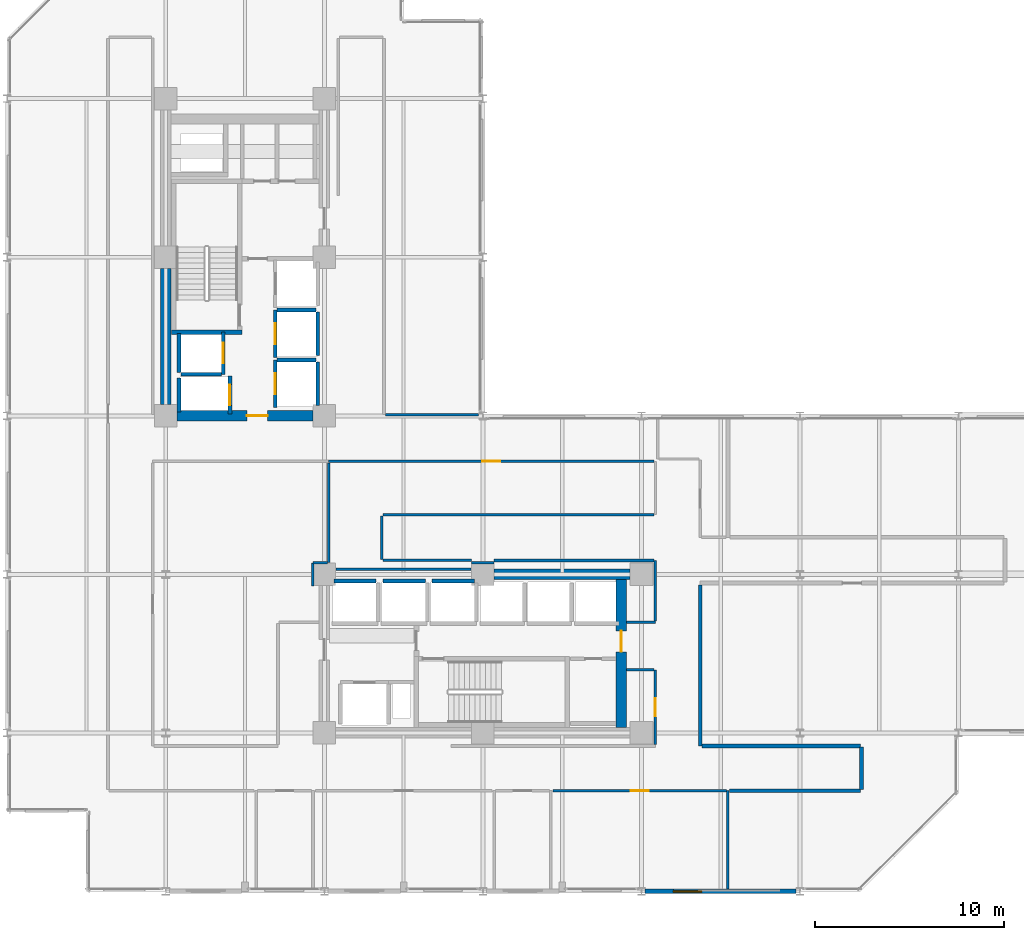
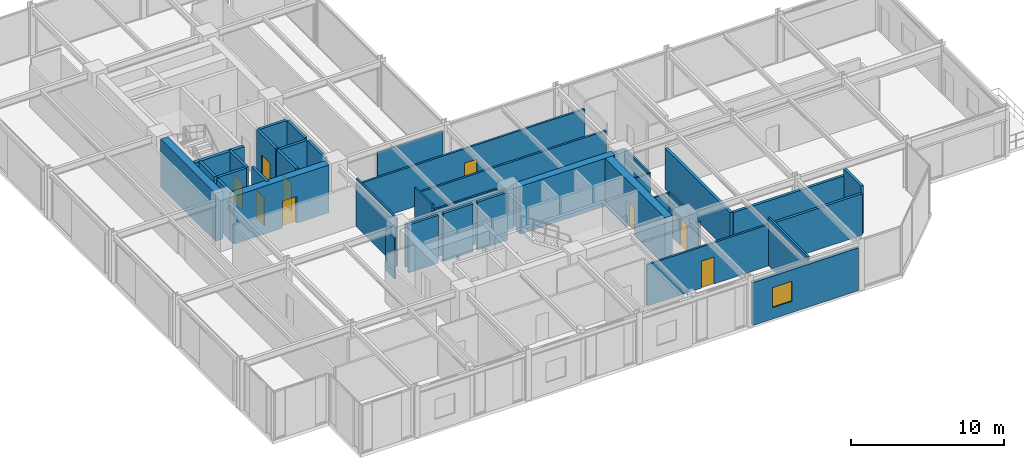
# One storey, part 33 of 38: 41 walls, 9 doors, 1 window, 10 openings.
"""IFC4 building model written with IfcOpenShell, lengths in metres."""

from ifc_helpers import new_model, si_unit, direction, frame, frame_2d, origin, place, context, subcontext, project, spatial, rectangle, extrude, material, layer, layer_set, type_object, element, fill, save


model = new_model("IFC4")

# Units and contexts
model_context = context("Model", 3, precision=1e-05, world=origin(), true_north=direction((0.0, 1.0)))
body_context = subcontext(model_context, "Body", "Model", "MODEL_VIEW")
ifc_project = project(units=[si_unit("LENGTHUNIT", "METRE"), si_unit("AREAUNIT", "SQUARE_METRE"), si_unit("VOLUMEUNIT", "CUBIC_METRE"), si_unit("PLANEANGLEUNIT", "RADIAN"), si_unit("MASSUNIT", "GRAM", prefix="KILO")], contexts=[model_context])

# Site, building, storey
site_placement = place(None, origin())
site = spatial("IfcSite", under=ifc_project, at=site_placement, CompositionType="ELEMENT")
building_placement = place(site_placement, origin())
building = spatial("IfcBuilding", under=site, at=building_placement, Name="Nerrivon Quay Data Exchange", CompositionType="ELEMENT")
storey_placement = place(building_placement, frame((0.0, 0.0, 84.39990234375)))
storey = spatial("IfcBuildingStorey", under=building, at=storey_placement, Name="L19", CompositionType="ELEMENT", Elevation=84.39990234375)

# Wall, opening, window
ifc_material_1 = material(Name="Architectural terracotta precast concrete N50 (50 MPa)", Category="masonry")
ifc_layer_1 = layer(ifc_material_1, 0.239990234375)
ifc_layer_set_1 = layer_set([ifc_layer_1], Name="Architectural terracotta precast concrete N50 (50 MPa)")
wall_type_1 = type_object("IfcWallType", Name="EW-PREC-240", PredefinedType="STANDARD", material=ifc_layer_set_1)
wall_1_placement = place(storey_placement, frame((41.800048828125, 0.0, 0.0), z_axis=(0.0, 0.0, 1.0), x_axis=(-1.0, 0.0, 0.0)))
wall_1 = element("IfcWall", 1, at=wall_1_placement, inside=storey, type_object=wall_type_1, Name="L19 Podium Precast Spandrel Wall 7", PredefinedType="STANDARD", context=body_context, shape_type="SweptSolid", body=[
    extrude(rectangle(XDim=8.0, YDim=0.239990234375, at=frame_2d((4.0, 0.0))), origin(), (0.0, 0.0, 1.0), 3.422119140625),
])
opening_1_placement = place(wall_1_placement, frame((5.013916015625, 0.0, 0.89990234375)))
opening_1 = element("IfcOpeningElement", 2, at=opening_1_placement, cuts=wall_1, Name="Opening WN4", PredefinedType="OPENING", context=body_context, shape_type="SweptSolid", body=[
    extrude(rectangle(XDim=1.5, YDim=1.60009765625, at=frame_2d((0.75, 0.800048828125))), frame((0.0, 0.1298828125, 0.0), z_axis=(0.0, -1.0, 0.0), x_axis=(1.0, 0.0, 0.0)), (0.0, 0.0, 1.0), 0.260009765625),
])
ifc_material_2 = material(Name="Double-glazed low-E solar control glass", Category="glass")
window_type = type_object("IfcWindowType", Name="WIN-W4-1500x1600", PartitioningType="SINGLE_PANEL", PredefinedType="WINDOW", material=ifc_material_2)
window_placement = place(opening_1_placement, origin())
window = element("IfcWindow", 3, at=window_placement, inside=storey, type_object=window_type, Name="L19 Solar Facade Window 7", OverallHeight=1.60009765625, OverallWidth=1.5, PartitioningType="SINGLE_PANEL", PredefinedType="WINDOW", context=body_context, shape_type="SweptSolid", body=[
    extrude(rectangle(XDim=1.5, YDim=1.60009765625, at=frame_2d((0.75, 0.800048828125))), frame((0.0, 0.030029296875, 0.0), z_axis=(0.0, -1.0, 0.0), x_axis=(1.0, 0.0, 0.0)), (0.0, 0.0, 1.0), 0.06005859375),
])
fill(opening_1, window)

# Wall
ifc_material_3 = material(Name="Concrete S65 (65 MPa)", Category="concrete")
ifc_layer_2 = layer(ifc_material_3, 0.550048828125)
ifc_layer_set_2 = layer_set([ifc_layer_2], Name="Concrete S65 (65 MPa)")
wall_type_2 = type_object("IfcWallType", Name="WALL-CW-700", PredefinedType="SHEAR", material=ifc_layer_set_2)
wall_2_placement = place(storey_placement, frame((8.39990234375, 25.800048828125, 0.0), z_axis=(0.0, 0.0, 1.0), x_axis=(0.0, 1.0, 0.0)))
element("IfcWall", 4, at=wall_2_placement, inside=storey, type_object=wall_type_2, Name="L19 West Split-Core Shear Wall WCW-W1", PredefinedType="SHEAR", context=body_context, shape_type="SweptSolid", body=[
    extrude(rectangle(XDim=7.199951171875, YDim=0.550048828125, at=frame_2d((3.60009765625, 0.0))), origin(), (0.0, 0.0, 1.0), 3.8251953125),
])

# Wall, opening, door
wall_3_placement = place(storey_placement, frame((9.0, 25.199951171875, 0.0), z_axis=(0.0, 0.0, 1.0), x_axis=(1.0, 0.0, 0.0)))
wall_3 = element("IfcWall", 5, at=wall_3_placement, inside=storey, type_object=wall_type_2, Name="L19 West Split-Core Shear Wall WCW-S1", PredefinedType="SHEAR", context=body_context, shape_type="SweptSolid", body=[
    extrude(rectangle(XDim=7.199951171875, YDim=0.550048828125, at=frame_2d((3.60009765625, 0.0))), origin(), (0.0, 0.0, 1.0), 3.8251953125),
])
opening_2_placement = place(wall_3_placement, frame((3.699951171875, 0.0, 0.0)))
opening_2 = element("IfcOpeningElement", 6, at=opening_2_placement, cuts=wall_3, Name="Opening FD-120", PredefinedType="OPENING", context=body_context, shape_type="SweptSolid", body=[
    extrude(rectangle(XDim=1.10009765625, YDim=2.14990234375, at=frame_2d((0.550048828125, 1.074951171875))), frame((0.0, 0.284912109375, 0.0), z_axis=(0.0, -1.0, 0.0), x_axis=(1.0, 0.0, 0.0)), (0.0, 0.0, 1.0), 0.570068359375),
])
ifc_material_4 = material(Name="Powder-coated galvanized steel sheet", Category="steel")
door_type_1 = type_object("IfcDoorType", Name="DR-FD120-1100", OperationType="NOTDEFINED", PredefinedType="DOOR", material=ifc_material_4)
door_1_placement = place(opening_2_placement, origin())
door_1 = element("IfcDoor", 7, at=door_1_placement, inside=storey, type_object=door_type_1, Name="L19 West Core Lobby Fire Door", OperationType="SINGLE_SWING_LEFT", OverallHeight=2.14990234375, OverallWidth=1.10009765625, PredefinedType="DOOR", context=body_context, shape_type="SweptSolid", body=[
    extrude(rectangle(XDim=1.10009765625, YDim=2.14990234375, at=frame_2d((0.550048828125, 1.074951171875))), frame((0.0, 0.02490234375, 0.0), z_axis=(0.0, -1.0, 0.0), x_axis=(1.0, 0.0, 0.0)), (0.0, 0.0, 1.0), 0.050048828125),
])
fill(opening_2, door_1)

wall_4_placement = place(storey_placement, frame((32.52490234375, 8.675048828125, 0.0), z_axis=(0.0, 0.0, 1.0), x_axis=(0.0, 1.0, 0.0)))
wall_4 = element("IfcWall", 8, at=wall_4_placement, inside=storey, type_object=wall_type_2, Name="L19 East Split-Core Shear Wall ECW-E1", PredefinedType="SHEAR", context=body_context, shape_type="SweptSolid", body=[
    extrude(rectangle(XDim=7.849853515625, YDim=0.550048828125, at=frame_2d((3.9248046875, 0.0))), origin(), (0.0, 0.0, 1.0), 3.8251953125),
])
opening_3_placement = place(wall_4_placement, frame((4.02490234375, 0.0, 0.0)))
opening_3 = element("IfcOpeningElement", 9, at=opening_3_placement, cuts=wall_4, Name="Opening FD-120", PredefinedType="OPENING", context=body_context, shape_type="SweptSolid", body=[
    extrude(rectangle(XDim=1.10009765625, YDim=2.14990234375, at=frame_2d((0.550048828125, 1.074951171875))), frame((0.0, 0.284912109375, 0.0), z_axis=(0.0, -1.0, 0.0), x_axis=(1.0, 0.0, 0.0)), (0.0, 0.0, 1.0), 0.570068359375),
])
door_2_placement = place(opening_3_placement, origin())
door_2 = element("IfcDoor", 10, at=door_2_placement, inside=storey, type_object=door_type_1, Name="L19 East Core Lobby Fire Door", OperationType="SINGLE_SWING_RIGHT", OverallHeight=2.14990234375, OverallWidth=1.10009765625, PredefinedType="DOOR", context=body_context, shape_type="SweptSolid", body=[
    extrude(rectangle(XDim=1.10009765625, YDim=2.14990234375, at=frame_2d((0.550048828125, 1.074951171875))), frame((0.0, 0.02490234375, 0.0), z_axis=(0.0, -1.0, 0.0), x_axis=(1.0, 0.0, 0.0)), (0.0, 0.0, 1.0), 0.050048828125),
])
fill(opening_3, door_2)

# Wall
wall_5_placement = place(storey_placement, frame((25.800048828125, 16.800048828125, 0.0), z_axis=(0.0, 0.0, 1.0), x_axis=(1.0, 0.0, 0.0)))
element("IfcWall", 11, at=wall_5_placement, inside=storey, type_object=wall_type_2, Name="L19 East Split-Core Shear Wall ECW-N1", PredefinedType="SHEAR", context=body_context, shape_type="SweptSolid", body=[
    extrude(rectangle(XDim=7.199951171875, YDim=0.550048828125, at=frame_2d((3.60009765625, 0.0))), origin(), (0.0, 0.0, 1.0), 3.8251953125),
])

# Wall, opening, door
ifc_material_5 = material(Name="Gypsum plasterboard on cold-formed framing", Category="gypsum")
ifc_layer_3 = layer(ifc_material_5, 0.199951171875)
ifc_layer_set_3 = layer_set([ifc_layer_3], Name="Gypsum plasterboard on cold-formed framing")
wall_type_3 = type_object("IfcWallType", Name="WALL-FW-200", PredefinedType="PARTITIONING", material=ifc_layer_set_3)
wall_6_placement = place(storey_placement, frame((11.449951171875, 27.39990234375, 0.0), z_axis=(0.0, 0.0, 1.0), x_axis=(0.0, 1.0, 0.0)))
wall_6 = element("IfcWall", 12, at=wall_6_placement, inside=storey, type_object=wall_type_3, Name="L19 Lift Front Wall FFL-1", PredefinedType="PARTITIONING", context=body_context, shape_type="SweptSolid", body=[
    extrude(rectangle(XDim=2.25, YDim=0.199951171875, at=frame_2d((1.125, 0.0))), origin(), (0.0, 0.0, 1.0), 3.8251953125),
])
opening_4_placement = place(wall_6_placement, frame((0.574951171875, 0.0, 0.0)))
opening_4 = element("IfcOpeningElement", 13, at=opening_4_placement, cuts=wall_6, Name="Opening LD-120", PredefinedType="OPENING", context=body_context, shape_type="SweptSolid", body=[
    extrude(rectangle(XDim=1.10009765625, YDim=2.199951171875, at=frame_2d((0.550048828125, 1.10009765625))), frame((0.0, 0.10986328125, 0.0), z_axis=(0.0, -1.0, 0.0), x_axis=(1.0, 0.0, 0.0)), (0.0, 0.0, 1.0), 0.219970703125),
])
door_type_2 = type_object("IfcDoorType", Name="DR-LIFT-LD120", OperationType="DOUBLE_DOOR_SLIDING", PredefinedType="DOOR", material=ifc_material_4)
door_3_placement = place(opening_4_placement, origin())
door_3 = element("IfcDoor", 14, at=door_3_placement, inside=storey, type_object=door_type_2, Name="L19 Lift Landing Sliding Door FFL-1", OperationType="DOUBLE_DOOR_SLIDING", OverallHeight=2.199951171875, OverallWidth=1.10009765625, PredefinedType="DOOR", context=body_context, shape_type="SweptSolid", body=[
    extrude(rectangle(XDim=1.10009765625, YDim=2.199951171875, at=frame_2d((0.550048828125, 1.10009765625))), frame((0.0, 0.02490234375, 0.0), z_axis=(0.0, -1.0, 0.0), x_axis=(1.0, 0.0, 0.0)), (0.0, 0.0, 1.0), 0.050048828125),
])
fill(opening_4, door_3)

# Walls
wall_7_placement = place(storey_placement, frame((9.10009765625, 27.5, 0.0), z_axis=(0.0, 0.0, 1.0), x_axis=(0.0, 1.0, 0.0)))
element("IfcWall", 15, at=wall_7_placement, inside=storey, type_object=wall_type_3, Name="L19 Lift Shaft Wall FFL-1 WEST", PredefinedType="PARTITIONING", context=body_context, shape_type="SweptSolid", body=[
    extrude(rectangle(XDim=2.050048828125, YDim=0.199951171875, at=frame_2d((1.02490234375, 0.0))), origin(), (0.0, 0.0, 1.0), 3.8251953125),
])
wall_8_placement = place(storey_placement, frame((9.199951171875, 27.39990234375, 0.0), z_axis=(0.0, 0.0, 1.0), x_axis=(1.0, 0.0, 0.0)))
element("IfcWall", 16, at=wall_8_placement, inside=storey, type_object=wall_type_3, Name="L19 Lift Shaft Wall FFL-1 SOUTH", PredefinedType="PARTITIONING", context=body_context, shape_type="SweptSolid", body=[
    extrude(rectangle(XDim=2.150146484375, YDim=0.199951171875, at=frame_2d((1.0751953125, 0.0))), origin(), (0.0, 0.0, 1.0), 3.8251953125),
])

# Wall, opening, door
wall_9_placement = place(storey_placement, frame((11.800048828125, 25.300048828125, 0.0), z_axis=(0.0, 0.0, 1.0), x_axis=(0.0, 1.0, 0.0)))
wall_9 = element("IfcWall", 17, at=wall_9_placement, inside=storey, type_object=wall_type_3, Name="L19 Lift Front Wall SVL-1", PredefinedType="PARTITIONING", context=body_context, shape_type="SweptSolid", body=[
    extrude(rectangle(XDim=2.0, YDim=0.199951171875, at=frame_2d((1.0, 0.0))), origin(), (0.0, 0.0, 1.0), 3.8251953125),
])
opening_5_placement = place(wall_9_placement, frame((0.449951171875, 0.0, 0.0)))
opening_5 = element("IfcOpeningElement", 18, at=opening_5_placement, cuts=wall_9, Name="Opening LD-120", PredefinedType="OPENING", context=body_context, shape_type="SweptSolid", body=[
    extrude(rectangle(XDim=1.10009765625, YDim=2.199951171875, at=frame_2d((0.550048828125, 1.10009765625))), frame((0.0, 0.10986328125, 0.0), z_axis=(0.0, -1.0, 0.0), x_axis=(1.0, 0.0, 0.0)), (0.0, 0.0, 1.0), 0.219970703125),
])
door_4_placement = place(opening_5_placement, origin())
door_4 = element("IfcDoor", 19, at=door_4_placement, inside=storey, type_object=door_type_2, Name="L19 Lift Landing Sliding Door SVL-1", OperationType="DOUBLE_DOOR_SLIDING", OverallHeight=2.199951171875, OverallWidth=1.10009765625, PredefinedType="DOOR", context=body_context, shape_type="SweptSolid", body=[
    extrude(rectangle(XDim=1.10009765625, YDim=2.199951171875, at=frame_2d((0.550048828125, 1.10009765625))), frame((0.0, 0.02490234375, 0.0), z_axis=(0.0, -1.0, 0.0), x_axis=(1.0, 0.0, 0.0)), (0.0, 0.0, 1.0), 0.050048828125),
])
fill(opening_5, door_4)

# Wall
wall_10_placement = place(storey_placement, frame((9.10009765625, 25.39990234375, 0.0), z_axis=(0.0, 0.0, 1.0), x_axis=(0.0, 1.0, 0.0)))
element("IfcWall", 20, at=wall_10_placement, inside=storey, type_object=wall_type_3, Name="L19 Lift Shaft Wall SVL-1 WEST", PredefinedType="PARTITIONING", context=body_context, shape_type="SweptSolid", body=[
    extrude(rectangle(XDim=1.800048828125, YDim=0.199951171875, at=frame_2d((0.89990234375, 0.0))), origin(), (0.0, 0.0, 1.0), 3.8251953125),
])

# Wall, opening, door
wall_11_placement = place(storey_placement, frame((14.199951171875, 25.64990234375, 0.0), z_axis=(0.0, 0.0, 1.0), x_axis=(0.0, 1.0, 0.0)))
wall_11 = element("IfcWall", 21, at=wall_11_placement, inside=storey, type_object=wall_type_3, Name="L19 Lift Front Wall PL1", PredefinedType="PARTITIONING", context=body_context, shape_type="SweptSolid", body=[
    extrude(rectangle(XDim=2.5, YDim=0.199951171875, at=frame_2d((1.25, 0.0))), origin(), (0.0, 0.0, 1.0), 3.8251953125),
])
opening_6_placement = place(wall_11_placement, frame((0.699951171875, 0.0, 0.0)))
opening_6 = element("IfcOpeningElement", 22, at=opening_6_placement, cuts=wall_11, Name="Opening LD-120", PredefinedType="OPENING", context=body_context, shape_type="SweptSolid", body=[
    extrude(rectangle(XDim=1.10009765625, YDim=2.199951171875, at=frame_2d((0.550048828125, 1.10009765625))), frame((0.0, 0.10986328125, 0.0), z_axis=(0.0, -1.0, 0.0), x_axis=(1.0, 0.0, 0.0)), (0.0, 0.0, 1.0), 0.219970703125),
])
door_5_placement = place(opening_6_placement, origin())
door_5 = element("IfcDoor", 23, at=door_5_placement, inside=storey, type_object=door_type_2, Name="L19 Lift Landing Sliding Door PL1", OperationType="DOUBLE_DOOR_SLIDING", OverallHeight=2.199951171875, OverallWidth=1.10009765625, PredefinedType="DOOR", context=body_context, shape_type="SweptSolid", body=[
    extrude(rectangle(XDim=1.10009765625, YDim=2.199951171875, at=frame_2d((0.550048828125, 1.10009765625))), frame((0.0, 0.02490234375, 0.0), z_axis=(0.0, -1.0, 0.0), x_axis=(1.0, 0.0, 0.0)), (0.0, 0.0, 1.0), 0.050048828125),
])
fill(opening_6, door_5)

# Walls
wall_12_placement = place(storey_placement, frame((16.449951171875, 25.75, 0.0), z_axis=(0.0, 0.0, 1.0), x_axis=(0.0, 1.0, 0.0)))
element("IfcWall", 24, at=wall_12_placement, inside=storey, type_object=wall_type_3, Name="L19 Lift Shaft Wall PL1 EAST", PredefinedType="PARTITIONING", context=body_context, shape_type="SweptSolid", body=[
    extrude(rectangle(XDim=2.300048828125, YDim=0.199951171875, at=frame_2d((1.14990234375, 0.0))), origin(), (0.0, 0.0, 1.0), 3.8251953125),
])
wall_13_placement = place(storey_placement, frame((14.300048828125, 28.14990234375, 0.0), z_axis=(0.0, 0.0, 1.0), x_axis=(1.0, 0.0, 0.0)))
element("IfcWall", 25, at=wall_13_placement, inside=storey, type_object=wall_type_3, Name="L19 Lift Shaft Wall PL1 NORTH", PredefinedType="PARTITIONING", context=body_context, shape_type="SweptSolid", body=[
    extrude(rectangle(XDim=2.050048828125, YDim=0.199951171875, at=frame_2d((1.02490234375, 0.0))), origin(), (0.0, 0.0, 1.0), 3.8251953125),
])

# Wall, opening, door
wall_14_placement = place(storey_placement, frame((14.199951171875, 28.300048828125, 0.0), z_axis=(0.0, 0.0, 1.0), x_axis=(0.0, 1.0, 0.0)))
wall_14 = element("IfcWall", 26, at=wall_14_placement, inside=storey, type_object=wall_type_3, Name="L19 Lift Front Wall PL2", PredefinedType="PARTITIONING", context=body_context, shape_type="SweptSolid", body=[
    extrude(rectangle(XDim=2.5, YDim=0.199951171875, at=frame_2d((1.25, 0.0))), origin(), (0.0, 0.0, 1.0), 3.8251953125),
])
opening_7_placement = place(wall_14_placement, frame((0.699951171875, 0.0, 0.0)))
opening_7 = element("IfcOpeningElement", 27, at=opening_7_placement, cuts=wall_14, Name="Opening LD-120", PredefinedType="OPENING", context=body_context, shape_type="SweptSolid", body=[
    extrude(rectangle(XDim=1.10009765625, YDim=2.199951171875, at=frame_2d((0.550048828125, 1.10009765625))), frame((0.0, 0.10986328125, 0.0), z_axis=(0.0, -1.0, 0.0), x_axis=(1.0, 0.0, 0.0)), (0.0, 0.0, 1.0), 0.219970703125),
])
door_6_placement = place(opening_7_placement, origin())
door_6 = element("IfcDoor", 28, at=door_6_placement, inside=storey, type_object=door_type_2, Name="L19 Lift Landing Sliding Door PL2", OperationType="DOUBLE_DOOR_SLIDING", OverallHeight=2.199951171875, OverallWidth=1.10009765625, PredefinedType="DOOR", context=body_context, shape_type="SweptSolid", body=[
    extrude(rectangle(XDim=1.10009765625, YDim=2.199951171875, at=frame_2d((0.550048828125, 1.10009765625))), frame((0.0, 0.02490234375, 0.0), z_axis=(0.0, -1.0, 0.0), x_axis=(1.0, 0.0, 0.0)), (0.0, 0.0, 1.0), 0.050048828125),
])
fill(opening_7, door_6)

# Walls
wall_15_placement = place(storey_placement, frame((16.449951171875, 28.39990234375, 0.0), z_axis=(0.0, 0.0, 1.0), x_axis=(0.0, 1.0, 0.0)))
element("IfcWall", 29, at=wall_15_placement, inside=storey, type_object=wall_type_3, Name="L19 Lift Shaft Wall PL2 EAST", PredefinedType="PARTITIONING", context=body_context, shape_type="SweptSolid", body=[
    extrude(rectangle(XDim=2.300048828125, YDim=0.199951171875, at=frame_2d((1.14990234375, 0.0))), origin(), (0.0, 0.0, 1.0), 3.8251953125),
])
wall_16_placement = place(storey_placement, frame((14.300048828125, 30.800048828125, 0.0), z_axis=(0.0, 0.0, 1.0), x_axis=(1.0, 0.0, 0.0)))
element("IfcWall", 30, at=wall_16_placement, inside=storey, type_object=wall_type_3, Name="L19 Lift Shaft Wall PL2 NORTH", PredefinedType="PARTITIONING", context=body_context, shape_type="SweptSolid", body=[
    extrude(rectangle(XDim=2.050048828125, YDim=0.199951171875, at=frame_2d((1.02490234375, 0.0))), origin(), (0.0, 0.0, 1.0), 3.8251953125),
])
for number, where, z_axis, x_axis, name in (
    (31, (17.300048828125, 16.449951171875, 0.0), (0.0, 0.0, 1.0), (1.0, 0.0, 0.0), "L19 Lift Shaft Wall PL4 NORTH"),
    (32, (19.89990234375, 16.449951171875, 0.0), (0.0, 0.0, 1.0), (1.0, 0.0, 0.0), "L19 Lift Shaft Wall PL5 NORTH"),
    (33, (22.5, 16.449951171875, 0.0), (0.0, 0.0, 1.0), (1.0, 0.0, 0.0), "L19 Lift Shaft Wall PL6 NORTH"),
):
    element("IfcWall", number, at=place(storey_placement, frame(where, z_axis=z_axis, x_axis=x_axis)), inside=storey, type_object=wall_type_3, Name=name, PredefinedType="PARTITIONING", context=body_context, shape_type="SweptSolid", body=[
        extrude(rectangle(XDim=2.25, YDim=0.199951171875, at=frame_2d((1.125, 0.0))), origin(), (0.0, 0.0, 1.0), 3.8251953125),
    ])
wall_17_placement = place(storey_placement, frame((36.7099609375, 16.236083984375, 0.0), z_axis=(0.0, 0.0, 1.0), x_axis=(0.0, -1.0, 0.0)))
element("IfcWall", 34, at=wall_17_placement, inside=storey, type_object=wall_type_3, Name="L19 Partition Colocation Data Workspace 1", PredefinedType="PARTITIONING", context=body_context, shape_type="SweptSolid", body=[
    extrude(rectangle(XDim=8.526123046875, YDim=0.199951171875, at=frame_2d((4.26318359375, 0.0))), origin(), (0.0, 0.0, 1.0), 3.2919921875),
])
wall_18_placement = place(storey_placement, frame((36.81396484375, 7.7099609375, 0.0), z_axis=(0.0, 0.0, 1.0), x_axis=(1.0, 0.0, 0.0)))
element("IfcWall", 35, at=wall_18_placement, inside=storey, type_object=wall_type_3, Name="L19 Partition Colocation Data Workspace 1", PredefinedType="PARTITIONING", context=body_context, shape_type="SweptSolid", body=[
    extrude(rectangle(XDim=8.385986328125, YDim=0.199951171875, at=frame_2d((4.19287109375, 0.0))), origin(), (0.0, 0.0, 1.0), 3.297119140625),
])
wall_19_placement = place(storey_placement, frame((45.260009765625, 7.64990234375, 0.0), z_axis=(0.0, 0.0, 1.0), x_axis=(0.0, -1.0, 0.0)))
element("IfcWall", 36, at=wall_19_placement, inside=storey, type_object=wall_type_3, Name="L19 Partition Colocation Data Workspace 1", PredefinedType="PARTITIONING", context=body_context, shape_type="SweptSolid", body=[
    extrude(rectangle(XDim=2.25, YDim=0.199951171875, at=frame_2d((1.125, 0.0))), origin(), (0.0, 0.0, 1.0), 3.8251953125),
])
wall_20_placement = place(storey_placement, frame((45.199951171875, 5.340087890625, 0.0), z_axis=(0.0, 0.0, 1.0), x_axis=(-1.0, 0.0, 0.0)))
element("IfcWall", 37, at=wall_20_placement, inside=storey, type_object=wall_type_3, Name="L19 Partition Colocation Data Workspace 1", PredefinedType="PARTITIONING", context=body_context, shape_type="SweptSolid", body=[
    extrude(rectangle(XDim=6.946533203125, YDim=0.199951171875, at=frame_2d((3.47314453125, 0.0))), origin(), (0.0, 0.0, 1.0), 3.297119140625),
])
ifc_layer_4 = layer(ifc_material_5, 0.1201171875)
ifc_layer_set_4 = layer_set([ifc_layer_4], Name="Gypsum plasterboard on cold-formed framing")
wall_type_4 = type_object("IfcWallType", Name="WALL-PT-120", PredefinedType="PARTITIONING", material=ifc_layer_set_4)
wall_21_placement = place(storey_placement, frame((34.2685546875, 11.739990234375, 0.0), z_axis=(0.0, 0.0, 1.0), x_axis=(-1.0, 0.0, 0.0)))
element("IfcWall", 38, at=wall_21_placement, inside=storey, type_object=wall_type_4, Name="L19 Partition Staff Pantry", PredefinedType="PARTITIONING", context=body_context, shape_type="SweptSolid", body=[
    extrude(rectangle(XDim=1.464599609375, YDim=0.1201171875, at=frame_2d((0.732421875, 0.0))), origin(), (0.0, 0.0, 1.0), 3.297119140625),
])
wall_22_placement = place(storey_placement, frame((24.59423828125, 17.419189453125, 0.0), z_axis=(0.0, 0.0, 1.0), x_axis=(0.999999815526, 0.000607410295, 0.0)))
element("IfcWall", 39, at=wall_22_placement, inside=storey, type_object=wall_type_4, Name="L19 Partition Technical Library", PredefinedType="PARTITIONING", context=body_context, shape_type="SweptSolid", body=[
    extrude(rectangle(XDim=1.205810546875, YDim=0.1201171875, at=frame_2d((0.60302734375, 0.0))), origin(), (0.0, 0.0, 1.0), 3.297119140625),
])
wall_23_placement = place(storey_placement, frame((32.803955078125, 14.260009765625, 0.0), z_axis=(0.0, 0.0, 1.0), x_axis=(1.0, 0.0, 0.0)))
element("IfcWall", 40, at=wall_23_placement, inside=storey, type_object=wall_type_4, Name="L19 Partition Technical Library", PredefinedType="PARTITIONING", context=body_context, shape_type="SweptSolid", body=[
    extrude(rectangle(XDim=1.5361328125, YDim=0.1201171875, at=frame_2d((0.76806640625, 0.0))), origin(), (0.0, 0.0, 1.0), 3.297119140625),
])
wall_24_placement = place(storey_placement, frame((19.840087890625, 17.60009765625, 0.0), z_axis=(0.0, 0.0, 1.0), x_axis=(0.0, 1.0, 0.0)))
element("IfcWall", 41, at=wall_24_placement, inside=storey, type_object=wall_type_4, Name="L19 Partition Technical Library", PredefinedType="PARTITIONING", context=body_context, shape_type="SweptSolid", body=[
    extrude(rectangle(XDim=2.2998046875, YDim=0.1201171875, at=frame_2d((1.14990234375, 0.0))), origin(), (0.0, 0.0, 1.0), 3.8251953125),
])
wall_25_placement = place(storey_placement, frame((16.180908203125, 16.194091796875, 0.0), z_axis=(0.0, 0.0, 1.0), x_axis=(-0.000606305467, 0.999999816197, 0.0)))
element("IfcWall", 42, at=wall_25_placement, inside=storey, type_object=wall_type_4, Name="L19 Partition Cloud Compute Workspace 1", PredefinedType="PARTITIONING", context=body_context, shape_type="SweptSolid", body=[
    extrude(rectangle(XDim=1.2080078125, YDim=0.1201171875, at=frame_2d((0.60400390625, 0.0))), origin(), (0.0, 0.0, 1.0), 3.2919921875),
])
wall_26_placement = place(storey_placement, frame((16.199951171875, 17.419921875, 0.0), z_axis=(0.0, 0.0, 1.0), x_axis=(1.0, 0.0, 0.0)))
element("IfcWall", 43, at=wall_26_placement, inside=storey, type_object=wall_type_4, Name="L19 Partition Cloud Compute Workspace 1", PredefinedType="PARTITIONING", context=body_context, shape_type="SweptSolid", body=[
    extrude(rectangle(XDim=0.759033203125, YDim=0.1201171875, at=frame_2d((0.37939453125, 0.0))), origin(), (0.0, 0.0, 1.0), 3.297119140625),
])

# Wall, opening, door
ifc_layer_5 = layer(ifc_material_5, 0.135009765625)
ifc_layer_set_5 = layer_set([ifc_layer_5], Name="Gypsum plasterboard on cold-formed framing")
wall_type_5 = type_object("IfcWallType", Name="WALL-PT-135", PredefinedType="PARTITIONING", material=ifc_layer_set_5)
wall_27_placement = place(storey_placement, frame((34.340087890625, 7.7890625, 0.0), z_axis=(0.0, 0.0, 1.0), x_axis=(0.0, 1.0, 0.0)))
wall_27 = element("IfcWall", 44, at=wall_27_placement, inside=storey, type_object=wall_type_5, Name="L19 Partition Staff Pantry", PredefinedType="PARTITIONING", context=body_context, shape_type="SweptSolid", body=[
    extrude(rectangle(XDim=3.950927734375, YDim=0.135009765625, at=frame_2d((1.9755859375, 0.0))), origin(), (0.0, 0.0, 1.0), 3.2919921875),
])
opening_8_placement = place(wall_27_placement, frame((1.50048828125, 0.0, 0.0)))
opening_8 = element("IfcOpeningElement", 45, at=opening_8_placement, cuts=wall_27, Name="Opening D-01", PredefinedType="OPENING", context=body_context, shape_type="SweptSolid", body=[
    extrude(rectangle(XDim=0.949951171875, YDim=2.14990234375, at=frame_2d((0.47509765625, 1.074951171875))), frame((0.0, 0.077392578125, 0.0), z_axis=(0.0, -1.0, 0.0), x_axis=(1.0, 0.0, 0.0)), (0.0, 0.0, 1.0), 0.155029296875),
])
ifc_material_6 = material(Name="Engineered hardwood timber", Category="wood")
door_type_3 = type_object("IfcDoorType", Name="DR-INT-950", OperationType="NOTDEFINED", PredefinedType="DOOR", material=ifc_material_6)
door_7_placement = place(opening_8_placement, origin())
door_7 = element("IfcDoor", 46, at=door_7_placement, inside=storey, type_object=door_type_3, Name="L19 Door Staff Pantry", OperationType="SINGLE_SWING_LEFT", OverallHeight=2.14990234375, OverallWidth=0.949951171875, PredefinedType="DOOR", context=body_context, shape_type="SweptSolid", body=[
    extrude(rectangle(XDim=0.949951171875, YDim=2.14990234375, at=frame_2d((0.47509765625, 1.074951171875))), frame((0.0, 0.02490234375, 0.0), z_axis=(0.0, -1.0, 0.0), x_axis=(1.0, 0.0, 0.0)), (0.0, 0.0, 1.0), 0.050048828125),
])
fill(opening_8, door_7)

# Walls
wall_28_placement = place(storey_placement, frame((38.181884765625, 0.1240234375, 0.0), z_axis=(0.0, 0.0, 1.0), x_axis=(0.0, 1.0, 0.0)))
element("IfcWall", 47, at=wall_28_placement, inside=storey, type_object=wall_type_5, Name="L19 Partition Network Security Control", PredefinedType="PARTITIONING", context=body_context, shape_type="SweptSolid", body=[
    extrude(rectangle(XDim=5.216064453125, YDim=0.135009765625, at=frame_2d((2.60791015625, 0.0))), origin(), (0.0, 0.0, 1.0), 3.8251953125),
])
wall_29_placement = place(storey_placement, frame((17.030517578125, 22.7109375, 0.0), z_axis=(0.0, 0.0, 1.0), x_axis=(0.0, -1.0, 0.0)))
element("IfcWall", 48, at=wall_29_placement, inside=storey, type_object=wall_type_5, Name="L19 Partition Technical Library", PredefinedType="PARTITIONING", context=body_context, shape_type="SweptSolid", body=[
    extrude(rectangle(XDim=5.291015625, YDim=0.135009765625, at=frame_2d((2.6455078125, 0.0))), origin(), (0.0, 0.0, 1.0), 3.8251953125),
])
wall_30_placement = place(storey_placement, frame((34.340087890625, 14.323974609375, 0.0), z_axis=(0.0, 0.0, 1.0), x_axis=(0.0, 1.0, 0.0)))
element("IfcWall", 49, at=wall_30_placement, inside=storey, type_object=wall_type_5, Name="L19 Partition Technical Library", PredefinedType="PARTITIONING", context=body_context, shape_type="SweptSolid", body=[
    extrude(rectangle(XDim=3.216064453125, YDim=0.135009765625, at=frame_2d((1.60791015625, 0.0))), origin(), (0.0, 0.0, 1.0), 3.2919921875),
])
wall_31_placement = place(storey_placement, frame((24.593994140625, 17.5400390625, 0.0), z_axis=(0.0, 0.0, 1.0), x_axis=(-1.0, 0.0, 0.0)))
element("IfcWall", 50, at=wall_31_placement, inside=storey, type_object=wall_type_5, Name="L19 Partition Technical Library", PredefinedType="PARTITIONING", context=body_context, shape_type="SweptSolid", body=[
    extrude(rectangle(XDim=4.694091796875, YDim=0.135009765625, at=frame_2d((2.34716796875, 0.0))), origin(), (0.0, 0.0, 1.0), 3.468994140625),
])
wall_32_placement = place(storey_placement, frame((20.0390625, 25.260009765625, 0.0), z_axis=(0.0, 0.0, 1.0), x_axis=(1.0, 0.0, 0.0)))
element("IfcWall", 51, at=wall_32_placement, inside=storey, type_object=wall_type_5, Name="L19 Partition Optical Engineering Studios Workspace", PredefinedType="PARTITIONING", context=body_context, shape_type="SweptSolid", body=[
    extrude(rectangle(XDim=4.94091796875, YDim=0.135009765625, at=frame_2d((2.470458984375, 0.0))), origin(), (0.0, 0.0, 1.0), 3.2919921875),
])

# Wall, opening, door
ifc_layer_6 = layer(ifc_material_5, 0.14990234375)
ifc_layer_set_6 = layer_set([ifc_layer_6], Name="Gypsum plasterboard on cold-formed framing")
wall_type_6 = type_object("IfcWallType", Name="WALL-PT-150", PredefinedType="PARTITIONING", material=ifc_layer_set_6)
wall_33_placement = place(storey_placement, frame((38.110595703125, 5.340087890625, 0.0), z_axis=(0.0, 0.0, 1.0), x_axis=(-1.0, 0.0, 0.0)))
wall_33 = element("IfcWall", 52, at=wall_33_placement, inside=storey, type_object=wall_type_6, Name="L19 Partition Network Security Control", PredefinedType="PARTITIONING", context=body_context, shape_type="SweptSolid", body=[
    extrude(rectangle(XDim=9.190673828125, YDim=0.14990234375, at=frame_2d((4.59521484375, 0.0))), origin(), (0.0, 0.0, 1.0), 3.297119140625),
])
opening_9_placement = place(wall_33_placement, frame((4.120361328125, 0.0, 0.0)))
opening_9 = element("IfcOpeningElement", 53, at=opening_9_placement, cuts=wall_33, Name="Opening D-01", PredefinedType="OPENING", context=body_context, shape_type="SweptSolid", body=[
    extrude(rectangle(XDim=0.949951171875, YDim=2.14990234375, at=frame_2d((0.47509765625, 1.074951171875))), frame((0.0, 0.0849609375, 0.0), z_axis=(0.0, -1.0, 0.0), x_axis=(1.0, 0.0, 0.0)), (0.0, 0.0, 1.0), 0.169921875),
])
door_8_placement = place(opening_9_placement, origin())
door_8 = element("IfcDoor", 54, at=door_8_placement, inside=storey, type_object=door_type_3, Name="L19 Door Network Security Control", OperationType="SINGLE_SWING_RIGHT", OverallHeight=2.14990234375, OverallWidth=0.949951171875, PredefinedType="DOOR", context=body_context, shape_type="SweptSolid", body=[
    extrude(rectangle(XDim=0.949951171875, YDim=2.14990234375, at=frame_2d((0.47509765625, 1.074951171875))), frame((0.0, 0.02490234375, 0.0), z_axis=(0.0, -1.0, 0.0), x_axis=(1.0, 0.0, 0.0)), (0.0, 0.0, 1.0), 0.050048828125),
])
fill(opening_9, door_8)

wall_34_placement = place(storey_placement, frame((34.27587890625, 22.7900390625, 0.0), z_axis=(0.0, 0.0, 1.0), x_axis=(-1.0, 0.0, 0.0)))
wall_34 = element("IfcWall", 55, at=wall_34_placement, inside=storey, type_object=wall_type_6, Name="L19 Partition Technical Library", PredefinedType="PARTITIONING", context=body_context, shape_type="SweptSolid", body=[
    extrude(rectangle(XDim=17.245361328125, YDim=0.14990234375, at=frame_2d((8.62255859375, 0.0))), origin(), (0.0, 0.0, 1.0), 3.297119140625),
])
opening_10_placement = place(wall_34_placement, frame((8.147705078125, 0.0, 0.0)))
opening_10 = element("IfcOpeningElement", 56, at=opening_10_placement, cuts=wall_34, Name="Opening D-01", PredefinedType="OPENING", context=body_context, shape_type="SweptSolid", body=[
    extrude(rectangle(XDim=0.949951171875, YDim=2.14990234375, at=frame_2d((0.47509765625, 1.074951171875))), frame((0.0, 0.0849609375, 0.0), z_axis=(0.0, -1.0, 0.0), x_axis=(1.0, 0.0, 0.0)), (0.0, 0.0, 1.0), 0.169921875),
])
door_9_placement = place(opening_10_placement, origin())
door_9 = element("IfcDoor", 57, at=door_9_placement, inside=storey, type_object=door_type_3, Name="L19 Door Technical Library", OperationType="SINGLE_SWING_RIGHT", OverallHeight=2.14990234375, OverallWidth=0.949951171875, PredefinedType="DOOR", context=body_context, shape_type="SweptSolid", body=[
    extrude(rectangle(XDim=0.949951171875, YDim=2.14990234375, at=frame_2d((0.47509765625, 1.074951171875))), frame((0.0, 0.02490234375, 0.0), z_axis=(0.0, -1.0, 0.0), x_axis=(1.0, 0.0, 0.0)), (0.0, 0.0, 1.0), 0.050048828125),
])
fill(opening_10, door_9)

# Walls
wall_35_placement = place(storey_placement, frame((17.419921875, 17.074951171875, 0.0), z_axis=(0.0, 0.0, 1.0), x_axis=(1.0, 0.0, 0.0)))
element("IfcWall", 58, at=wall_35_placement, inside=storey, type_object=wall_type_6, Name="L19 Partition Technical Library", PredefinedType="PARTITIONING", context=body_context, shape_type="SweptSolid", body=[
    extrude(rectangle(XDim=7.16015625, YDim=0.14990234375, at=frame_2d((3.580078125, 0.0))), origin(), (0.0, 0.0, 1.0), 3.468994140625),
])
wall_36_placement = place(storey_placement, frame((34.2685546875, 17.5400390625, 0.0), z_axis=(0.0, 0.0, 1.0), x_axis=(-1.0, 0.0, 0.0)))
element("IfcWall", 59, at=wall_36_placement, inside=storey, type_object=wall_type_6, Name="L19 Partition Technical Library", PredefinedType="PARTITIONING", context=body_context, shape_type="SweptSolid", body=[
    extrude(rectangle(XDim=8.46875, YDim=0.14990234375, at=frame_2d((4.234375, 0.0))), origin(), (0.0, 0.0, 1.0), 3.297119140625),
])
wall_37_placement = place(storey_placement, frame((19.89990234375, 19.9599609375, 0.0), z_axis=(0.0, 0.0, 1.0), x_axis=(1.0, 0.0, 0.0)))
element("IfcWall", 60, at=wall_37_placement, inside=storey, type_object=wall_type_6, Name="L19 Partition Technical Library", PredefinedType="PARTITIONING", context=body_context, shape_type="SweptSolid", body=[
    extrude(rectangle(XDim=14.3759765625, YDim=0.14990234375, at=frame_2d((7.18798828125, 0.0))), origin(), (0.0, 0.0, 1.0), 3.297119140625),
])
ifc_material_7 = material(Name="Concrete N50 (50 MPa)", Category="concrete")
ifc_layer_7 = layer(ifc_material_7, 0.25)
ifc_layer_set_7 = layer_set([ifc_layer_7], Name="Concrete N50 (50 MPa)")
wall_type_7 = type_object("IfcWallType", Name="WALL-SW-250", PredefinedType="SHEAR", material=ifc_layer_set_7)
wall_38_placement = place(storey_placement, frame((12.449951171875, 29.625, 0.0), z_axis=(0.0, 0.0, 1.0), x_axis=(-1.0, 0.0, 0.0)))
element("IfcWall", 61, at=wall_38_placement, inside=storey, type_object=wall_type_7, Name="L19 ST01 Structural Stair Core Wall NEAR", PredefinedType="SHEAR", context=body_context, shape_type="SweptSolid", body=[
    extrude(rectangle(XDim=3.75, YDim=0.25, at=frame_2d((1.875, 0.0))), origin(), (0.0, 0.0, 1.0), 3.8251953125),
])

save(model, "model.ifc")
